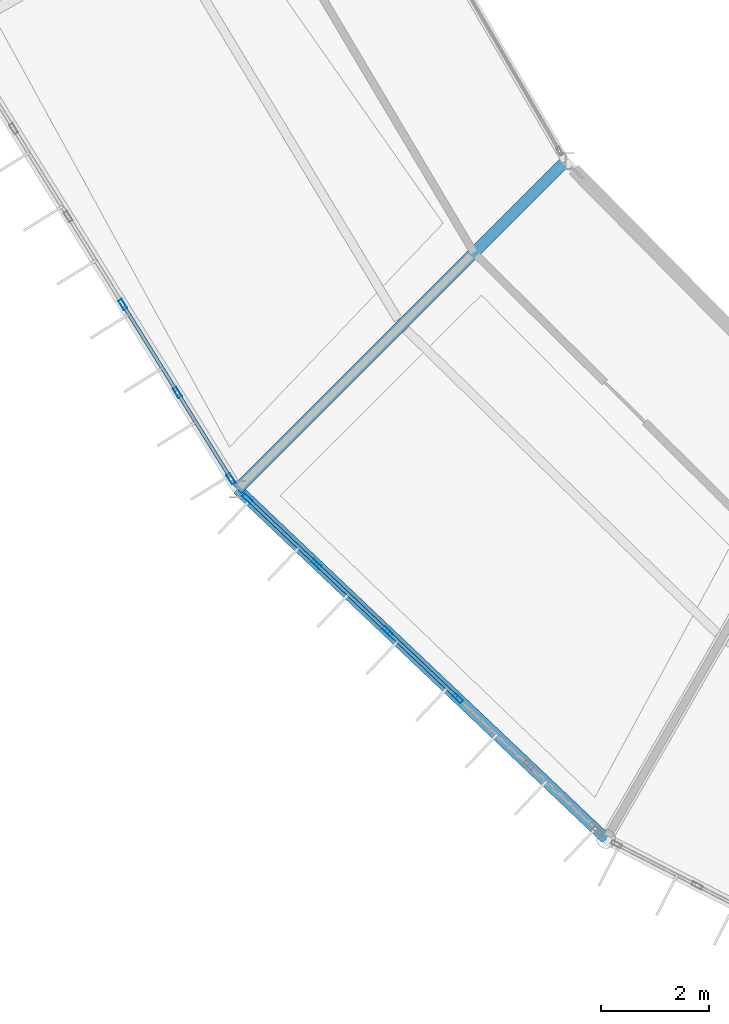
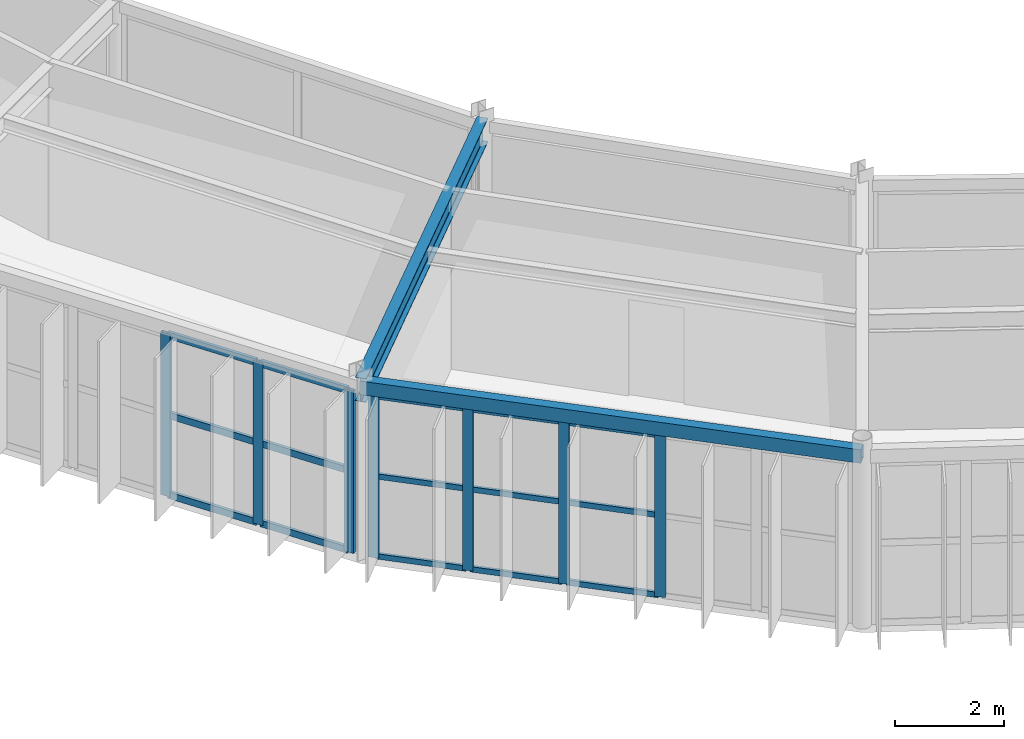
# One storey, part 26 of 148: 22 members, 2 beams, 2 elements without a shape of their own.
"""IFC4 building model written with IfcOpenShell, lengths in metres."""

from ifc_helpers import new_model, si_unit, direction, frame, origin, origin_2d, place, context, subcontext, project, spatial, hollow_rectangle, i_section, extrude, material, material_profile, profile_set, type_object, element, aggregate, save


model = new_model("IFC4")

# Units and contexts
model_context = context("Model", 3, precision=1e-05, world=origin(), true_north=direction((0.0, 1.0)))
body_context = subcontext(model_context, "Body", "Model", "MODEL_VIEW")
ifc_project = project(units=[si_unit("LENGTHUNIT", "METRE"), si_unit("AREAUNIT", "SQUARE_METRE"), si_unit("VOLUMEUNIT", "CUBIC_METRE"), si_unit("PLANEANGLEUNIT", "RADIAN"), si_unit("MASSUNIT", "GRAM", prefix="KILO")], contexts=[model_context])

# Site, building, storey
site_placement = place(None, origin())
site = spatial("IfcSite", under=ifc_project, at=site_placement, CompositionType="ELEMENT")
building_placement = place(site_placement, origin())
building = spatial("IfcBuilding", under=site, at=building_placement, Name="Karori Crest Natural Sciences Institute", CompositionType="ELEMENT")
storey_placement = place(building_placement, frame((0.0, 0.0, 4.89990234375)))
storey = spatial("IfcBuildingStorey", under=building, at=storey_placement, Name="L01", CompositionType="ELEMENT", Elevation=4.89990234375)

# Beams
ifc_material_1 = material(Name="Structural steel AS/NZS 3679.1 Grade 350", Category="steel")
ifc_material_profile_1 = material_profile(ifc_material_1, i_section(OverallWidth=0.208984375, OverallDepth=0.532958984375, WebThickness=0.01025390625, FlangeThickness=0.015625, FilletRadius=0.013916015625, at=origin_2d()), Name="530UB92.4")
ifc_profile_set_1 = profile_set([ifc_material_profile_1], Name="Structural steel AS/NZS 3679.1 Grade 350")
beam_type_1 = type_object("IfcBeamType", Name="BT-05", PredefinedType="BEAM", material=ifc_profile_set_1)
beam_1_placement = place(storey_placement, frame((49.146484375, 27.131103515625, 3.673583984375), z_axis=(-0.707106781187, -0.707106781187, 0.0), x_axis=(0.707106781187, -0.707106781187, 0.0)))
element("IfcBeam", 1, at=beam_1_placement, inside=storey, type_object=beam_type_1, Name="Beam B-0238", PredefinedType="BEAM", context=body_context, shape_type="SweptSolid", body=[
    extrude(i_section(OverallWidth=0.208984375, OverallDepth=0.532958984375, WebThickness=0.01025390625, FlangeThickness=0.015625, FilletRadius=0.013916015625, at=origin_2d()), origin(), (0.0, 0.0, 1.0), 8.599853515625),
])
ifc_material_2 = material(Name="Hollow structural steel AS/NZS 1163 Grade C350", Category="steel")
ifc_material_profile_2 = material_profile(ifc_material_2, hollow_rectangle(XDim=0.199951171875, YDim=0.300048828125, WallThickness=0.010009765625, at=origin_2d()), Name="RHS300x200x10")
ifc_profile_set_2 = profile_set([ifc_material_profile_2], Name="Hollow structural steel AS/NZS 1163 Grade C350")
beam_type_2 = type_object("IfcBeamType", Name="BT-15", PredefinedType="SPANDREL", material=ifc_profile_set_2)
beam_2_placement = place(storey_placement, frame((43.0654296875, 21.050048828125, 3.7900390625), z_axis=(0.72546900706, -0.688254836376, 0.0), x_axis=(0.688254836376, 0.72546900706, 0.0)))
element("IfcBeam", 2, at=beam_2_placement, inside=storey, type_object=beam_type_2, Name="Beam B-0236", PredefinedType="SPANDREL", context=body_context, shape_type="SweptSolid", body=[
    extrude(hollow_rectangle(XDim=0.199951171875, YDim=0.300048828125, WallThickness=0.010009765625, at=origin_2d()), origin(), (0.0, 0.0, 1.0), 9.420654296875),
])

# Curtain wall, members
ifc_material_3 = material(Name="Anodised architectural aluminium 6063-T6", Category="aluminium")
curtain_wall_type_1 = type_object("IfcCurtainWallType", Name="CWT-05", PredefinedType="NOTDEFINED", material=ifc_material_3)
curtain_wall_1_placement = place(storey_placement, origin())
curtain_wall_1 = element("IfcCurtainWall", 3, at=curtain_wall_1_placement, inside=storey, type_object=curtain_wall_type_1, Name="Curtain wall CW-0050", PredefinedType="NOTDEFINED")
ifc_material_profile_3 = material_profile(ifc_material_3, hollow_rectangle(XDim=0.074951171875, YDim=0.199951171875, WallThickness=0.0048828125, at=origin_2d()), Name="CWM200x75x5")
ifc_profile_set_3 = profile_set([ifc_material_profile_3], Name="Anodised architectural aluminium 6063-T6")
member_type_1 = type_object("IfcMemberType", Name="CWM-02", PredefinedType="MULLION", material=ifc_profile_set_3)
member_1_placement = place(storey_placement, frame((42.9453125, 21.24365234375, 0.0), z_axis=(0.0, 0.0, 1.0), x_axis=(-0.849665769424, -0.527321609902, 0.0)))
member_1 = element("IfcMember", 4, at=member_1_placement, type_object=member_type_1, Name="CW-0050 mullion 1", PredefinedType="MULLION", context=body_context, shape_type="SweptSolid", body=[
    extrude(hollow_rectangle(XDim=0.074951171875, YDim=0.199951171875, WallThickness=0.0048828125, at=origin_2d()), origin(), (0.0, 0.0, 1.0), 3.625),
])
member_2_placement = place(storey_placement, frame((41.953125, 22.84228515625, 0.0), z_axis=(0.0, 0.0, 1.0), x_axis=(-0.849665769424, -0.527321609902, 0.0)))
member_2 = element("IfcMember", 5, at=member_2_placement, type_object=member_type_1, Name="CW-0050 mullion 2", PredefinedType="MULLION", context=body_context, shape_type="SweptSolid", body=[
    extrude(hollow_rectangle(XDim=0.074951171875, YDim=0.199951171875, WallThickness=0.0048828125, at=origin_2d()), origin(), (0.0, 0.0, 1.0), 3.625),
])
member_3_placement = place(storey_placement, frame((40.94140625, 24.47265625, 0.0), z_axis=(0.0, 0.0, 1.0), x_axis=(-0.849665769424, -0.527321609902, 0.0)))
member_3 = element("IfcMember", 6, at=member_3_placement, type_object=member_type_1, Name="CW-0050 mullion 3", PredefinedType="MULLION", context=body_context, shape_type="SweptSolid", body=[
    extrude(hollow_rectangle(XDim=0.074951171875, YDim=0.199951171875, WallThickness=0.0048828125, at=origin_2d()), origin(), (0.0, 0.0, 1.0), 3.625),
])

curtain_wall_type_2 = type_object("IfcCurtainWallType", Name="CWT-06", PredefinedType="NOTDEFINED", material=ifc_material_3)
curtain_wall_2_placement = place(storey_placement, origin())
curtain_wall_2 = element("IfcCurtainWall", 7, at=curtain_wall_2_placement, inside=storey, type_object=curtain_wall_type_2, Name="Curtain wall CW-0052", PredefinedType="NOTDEFINED")
member_4_placement = place(storey_placement, frame((47.1513671875, 17.173828125, 0.0), z_axis=(0.0, 0.0, 1.0), x_axis=(-0.688245939986, -0.725477446992, 0.0)))
member_4 = element("IfcMember", 8, at=member_4_placement, type_object=member_type_1, Name="CW-0052 mullion 3", PredefinedType="MULLION", context=body_context, shape_type="SweptSolid", body=[
    extrude(hollow_rectangle(XDim=0.074951171875, YDim=0.199951171875, WallThickness=0.0048828125, at=origin_2d()), origin(), (0.0, 0.0, 1.0), 3.625),
])
member_5_placement = place(storey_placement, frame((45.8408203125, 18.417236328125, 0.0), z_axis=(0.0, 0.0, 1.0), x_axis=(-0.688245939986, -0.725477446992, 0.0)))
member_5 = element("IfcMember", 9, at=member_5_placement, type_object=member_type_1, Name="CW-0052 mullion 4", PredefinedType="MULLION", context=body_context, shape_type="SweptSolid", body=[
    extrude(hollow_rectangle(XDim=0.074951171875, YDim=0.199951171875, WallThickness=0.0048828125, at=origin_2d()), origin(), (0.0, 0.0, 1.0), 3.625),
])
member_6_placement = place(storey_placement, frame((44.530029296875, 19.66064453125, 0.0), z_axis=(0.0, 0.0, 1.0), x_axis=(-0.688245939986, -0.725477446992, 0.0)))
member_6 = element("IfcMember", 10, at=member_6_placement, type_object=member_type_1, Name="CW-0052 mullion 5", PredefinedType="MULLION", context=body_context, shape_type="SweptSolid", body=[
    extrude(hollow_rectangle(XDim=0.074951171875, YDim=0.199951171875, WallThickness=0.0048828125, at=origin_2d()), origin(), (0.0, 0.0, 1.0), 3.625),
])
member_7_placement = place(storey_placement, frame((43.246826171875, 20.878173828125, 0.0), z_axis=(0.0, 0.0, 1.0), x_axis=(-0.688245939986, -0.725477446992, 0.0)))
member_7 = element("IfcMember", 11, at=member_7_placement, type_object=member_type_1, Name="CW-0052 mullion 6", PredefinedType="MULLION", context=body_context, shape_type="SweptSolid", body=[
    extrude(hollow_rectangle(XDim=0.074951171875, YDim=0.199951171875, WallThickness=0.0048828125, at=origin_2d()), origin(), (0.0, 0.0, 1.0), 3.625),
])
ifc_material_profile_4 = material_profile(ifc_material_3, hollow_rectangle(XDim=0.06005859375, YDim=0.1201171875, WallThickness=0.00390625, at=origin_2d()), Name="CWT120x60x4")
ifc_profile_set_4 = profile_set([ifc_material_profile_4], Name="Anodised architectural aluminium 6063-T6")
member_type_2 = type_object("IfcMemberType", Name="CWT-TR1", PredefinedType="USERDEFINED", material=ifc_profile_set_4)
member_8_placement = place(storey_placement, frame((47.1240234375, 17.19970703125, 0.030029296875), z_axis=(-0.725474530002, 0.68824901476, 0.0), x_axis=(-0.68824901476, -0.725474530002, 0.0)))
member_8 = element("IfcMember", 12, at=member_8_placement, type_object=member_type_2, Name="CW-0052 transom 3.1", ObjectType="TRANSOM", PredefinedType="USERDEFINED", context=body_context, shape_type="SweptSolid", body=[
    extrude(hollow_rectangle(XDim=0.06005859375, YDim=0.1201171875, WallThickness=0.00390625, at=origin_2d()), origin(), (0.0, 0.0, 1.0), 1.7314453125),
])
member_9_placement = place(storey_placement, frame((47.1240234375, 17.19970703125, 1.8125), z_axis=(-0.725474530002, 0.68824901476, 0.0), x_axis=(-0.68824901476, -0.725474530002, 0.0)))
member_9 = element("IfcMember", 13, at=member_9_placement, type_object=member_type_2, Name="CW-0052 transom 3.2", ObjectType="TRANSOM", PredefinedType="USERDEFINED", context=body_context, shape_type="SweptSolid", body=[
    extrude(hollow_rectangle(XDim=0.06005859375, YDim=0.1201171875, WallThickness=0.00390625, at=origin_2d()), origin(), (0.0, 0.0, 1.0), 1.7314453125),
])
member_10_placement = place(storey_placement, frame((47.1240234375, 17.19970703125, 3.59521484375), z_axis=(-0.725474530002, 0.68824901476, 0.0), x_axis=(-0.68824901476, -0.725474530002, 0.0)))
member_10 = element("IfcMember", 14, at=member_10_placement, type_object=member_type_2, Name="CW-0052 transom 3.3", ObjectType="TRANSOM", PredefinedType="USERDEFINED", context=body_context, shape_type="SweptSolid", body=[
    extrude(hollow_rectangle(XDim=0.06005859375, YDim=0.1201171875, WallThickness=0.00390625, at=origin_2d()), origin(), (0.0, 0.0, 1.0), 1.7314453125),
])
member_11_placement = place(storey_placement, frame((45.8134765625, 18.443115234375, 0.030029296875), z_axis=(-0.725474530002, 0.68824901476, 0.0), x_axis=(-0.68824901476, -0.725474530002, 0.0)))
member_11 = element("IfcMember", 15, at=member_11_placement, type_object=member_type_2, Name="CW-0052 transom 4.1", ObjectType="TRANSOM", PredefinedType="USERDEFINED", context=body_context, shape_type="SweptSolid", body=[
    extrude(hollow_rectangle(XDim=0.06005859375, YDim=0.1201171875, WallThickness=0.00390625, at=origin_2d()), origin(), (0.0, 0.0, 1.0), 1.7314453125),
])
member_12_placement = place(storey_placement, frame((45.8134765625, 18.443115234375, 1.8125), z_axis=(-0.725474530002, 0.68824901476, 0.0), x_axis=(-0.68824901476, -0.725474530002, 0.0)))
member_12 = element("IfcMember", 16, at=member_12_placement, type_object=member_type_2, Name="CW-0052 transom 4.2", ObjectType="TRANSOM", PredefinedType="USERDEFINED", context=body_context, shape_type="SweptSolid", body=[
    extrude(hollow_rectangle(XDim=0.06005859375, YDim=0.1201171875, WallThickness=0.00390625, at=origin_2d()), origin(), (0.0, 0.0, 1.0), 1.7314453125),
])
member_13_placement = place(storey_placement, frame((45.8134765625, 18.443115234375, 3.59521484375), z_axis=(-0.725474530002, 0.68824901476, 0.0), x_axis=(-0.68824901476, -0.725474530002, 0.0)))
member_13 = element("IfcMember", 17, at=member_13_placement, type_object=member_type_2, Name="CW-0052 transom 4.3", ObjectType="TRANSOM", PredefinedType="USERDEFINED", context=body_context, shape_type="SweptSolid", body=[
    extrude(hollow_rectangle(XDim=0.06005859375, YDim=0.1201171875, WallThickness=0.00390625, at=origin_2d()), origin(), (0.0, 0.0, 1.0), 1.7314453125),
])
member_14_placement = place(storey_placement, frame((44.5029296875, 19.686279296875, 0.030029296875), z_axis=(-0.72545262833, 0.688272100299, 0.0), x_axis=(-0.688272100299, -0.72545262833, 0.0)))
member_14 = element("IfcMember", 18, at=member_14_placement, type_object=member_type_2, Name="CW-0052 transom 5.1", ObjectType="TRANSOM", PredefinedType="USERDEFINED", context=body_context, shape_type="SweptSolid", body=[
    extrude(hollow_rectangle(XDim=0.06005859375, YDim=0.1201171875, WallThickness=0.00390625, at=origin_2d()), origin(), (0.0, 0.0, 1.0), 1.694091796875),
])
member_15_placement = place(storey_placement, frame((44.5029296875, 19.686279296875, 1.8125), z_axis=(-0.72545262833, 0.688272100299, 0.0), x_axis=(-0.688272100299, -0.72545262833, 0.0)))
member_15 = element("IfcMember", 19, at=member_15_placement, type_object=member_type_2, Name="CW-0052 transom 5.2", ObjectType="TRANSOM", PredefinedType="USERDEFINED", context=body_context, shape_type="SweptSolid", body=[
    extrude(hollow_rectangle(XDim=0.06005859375, YDim=0.1201171875, WallThickness=0.00390625, at=origin_2d()), origin(), (0.0, 0.0, 1.0), 1.694091796875),
])
member_16_placement = place(storey_placement, frame((44.5029296875, 19.686279296875, 3.59521484375), z_axis=(-0.72545262833, 0.688272100299, 0.0), x_axis=(-0.688272100299, -0.72545262833, 0.0)))
member_16 = element("IfcMember", 20, at=member_16_placement, type_object=member_type_2, Name="CW-0052 transom 5.3", ObjectType="TRANSOM", PredefinedType="USERDEFINED", context=body_context, shape_type="SweptSolid", body=[
    extrude(hollow_rectangle(XDim=0.06005859375, YDim=0.1201171875, WallThickness=0.00390625, at=origin_2d()), origin(), (0.0, 0.0, 1.0), 1.694091796875),
])
aggregate(curtain_wall_2, [member_4, member_5, member_6, member_7, member_8, member_9, member_10, member_11, member_12, member_13, member_14, member_15, member_16])

# Member
ifc_material_profile_5 = material_profile(ifc_material_3, hollow_rectangle(XDim=0.06494140625, YDim=0.14990234375, WallThickness=0.00390625, at=origin_2d()), Name="CWT150x65x4")
ifc_profile_set_5 = profile_set([ifc_material_profile_5], Name="Anodised architectural aluminium 6063-T6")
member_type_3 = type_object("IfcMemberType", Name="CWT-TR2", PredefinedType="USERDEFINED", material=ifc_profile_set_5)
member_17_placement = place(storey_placement, frame((42.925537109375, 21.275634765625, 0.03271484375), z_axis=(-0.527396506483, 0.849619282355, 0.0), x_axis=(-0.849619282355, -0.527396506483, 0.0)))
member_17 = element("IfcMember", 21, at=member_17_placement, type_object=member_type_3, Name="CW-0050 transom 1.1", ObjectType="TRANSOM", PredefinedType="USERDEFINED", context=body_context, shape_type="SweptSolid", body=[
    extrude(hollow_rectangle(XDim=0.06494140625, YDim=0.14990234375, WallThickness=0.00390625, at=origin_2d()), origin(), (0.0, 0.0, 1.0), 1.806396484375),
])

member_18_placement = place(storey_placement, frame((42.925537109375, 21.275634765625, 1.8125), z_axis=(-0.527396506483, 0.849619282355, 0.0), x_axis=(-0.849619282355, -0.527396506483, 0.0)))
member_18 = element("IfcMember", 22, at=member_18_placement, type_object=member_type_3, Name="CW-0050 transom 1.2", ObjectType="TRANSOM", PredefinedType="USERDEFINED", context=body_context, shape_type="SweptSolid", body=[
    extrude(hollow_rectangle(XDim=0.06494140625, YDim=0.14990234375, WallThickness=0.00390625, at=origin_2d()), origin(), (0.0, 0.0, 1.0), 1.806396484375),
])

member_19_placement = place(storey_placement, frame((42.925537109375, 21.275634765625, 3.592529296875), z_axis=(-0.527396506483, 0.849619282355, 0.0), x_axis=(-0.849619282355, -0.527396506483, 0.0)))
member_19 = element("IfcMember", 23, at=member_19_placement, type_object=member_type_3, Name="CW-0050 transom 1.3", ObjectType="TRANSOM", PredefinedType="USERDEFINED", context=body_context, shape_type="SweptSolid", body=[
    extrude(hollow_rectangle(XDim=0.06494140625, YDim=0.14990234375, WallThickness=0.00390625, at=origin_2d()), origin(), (0.0, 0.0, 1.0), 1.806396484375),
])

member_20_placement = place(storey_placement, frame((41.933349609375, 22.8740234375, 0.03271484375), z_axis=(-0.527211248456, 0.849734252282, 0.0), x_axis=(-0.849734252282, -0.527211248456, 0.0)))
member_20 = element("IfcMember", 24, at=member_20_placement, type_object=member_type_3, Name="CW-0050 transom 2.1", ObjectType="TRANSOM", PredefinedType="USERDEFINED", context=body_context, shape_type="SweptSolid", body=[
    extrude(hollow_rectangle(XDim=0.06494140625, YDim=0.14990234375, WallThickness=0.00390625, at=origin_2d()), origin(), (0.0, 0.0, 1.0), 1.843994140625),
])

member_21_placement = place(storey_placement, frame((41.933349609375, 22.8740234375, 1.8125), z_axis=(-0.527211248456, 0.849734252282, 0.0), x_axis=(-0.849734252282, -0.527211248456, 0.0)))
member_21 = element("IfcMember", 25, at=member_21_placement, type_object=member_type_3, Name="CW-0050 transom 2.2", ObjectType="TRANSOM", PredefinedType="USERDEFINED", context=body_context, shape_type="SweptSolid", body=[
    extrude(hollow_rectangle(XDim=0.06494140625, YDim=0.14990234375, WallThickness=0.00390625, at=origin_2d()), origin(), (0.0, 0.0, 1.0), 1.843994140625),
])

member_22_placement = place(storey_placement, frame((41.933349609375, 22.8740234375, 3.592529296875), z_axis=(-0.527211248456, 0.849734252282, 0.0), x_axis=(-0.849734252282, -0.527211248456, 0.0)))
member_22 = element("IfcMember", 26, at=member_22_placement, type_object=member_type_3, Name="CW-0050 transom 2.3", ObjectType="TRANSOM", PredefinedType="USERDEFINED", context=body_context, shape_type="SweptSolid", body=[
    extrude(hollow_rectangle(XDim=0.06494140625, YDim=0.14990234375, WallThickness=0.00390625, at=origin_2d()), origin(), (0.0, 0.0, 1.0), 1.843994140625),
])

aggregate(curtain_wall_1, [member_1, member_2, member_3, member_17, member_18, member_19, member_20, member_21, member_22])

save(model, "model.ifc")
